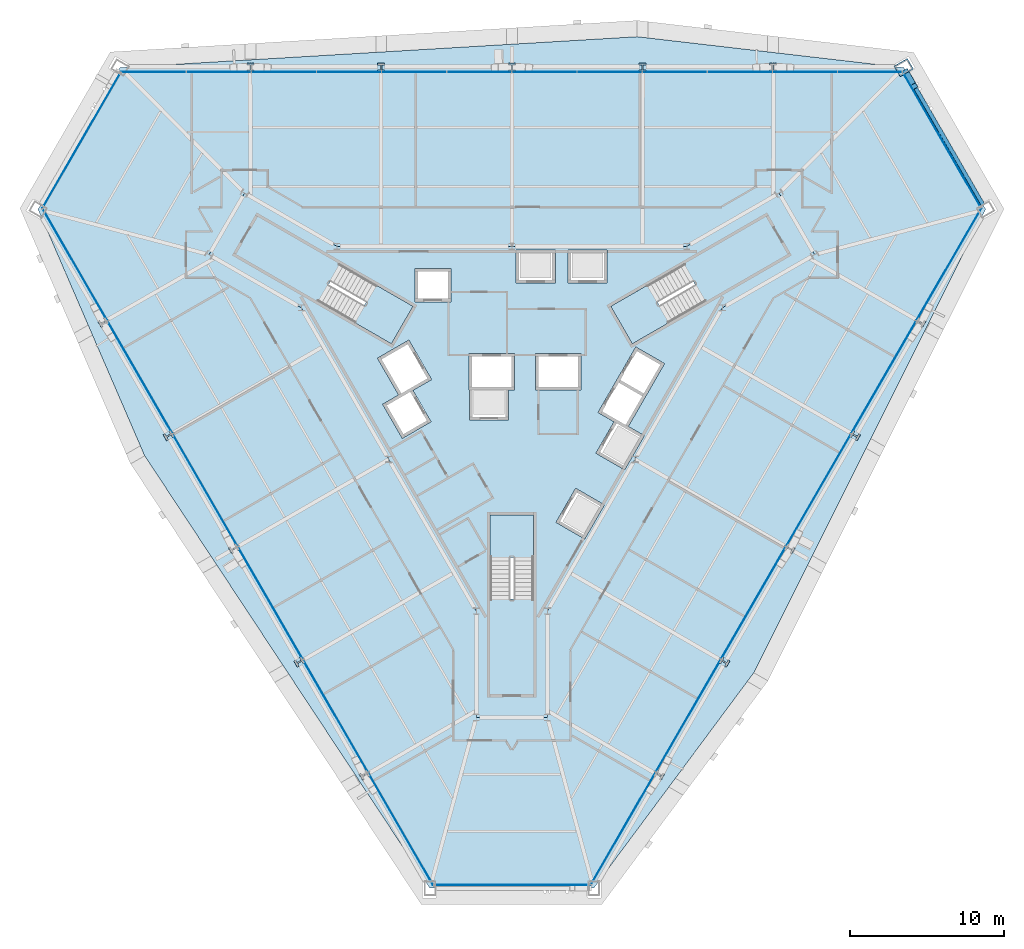
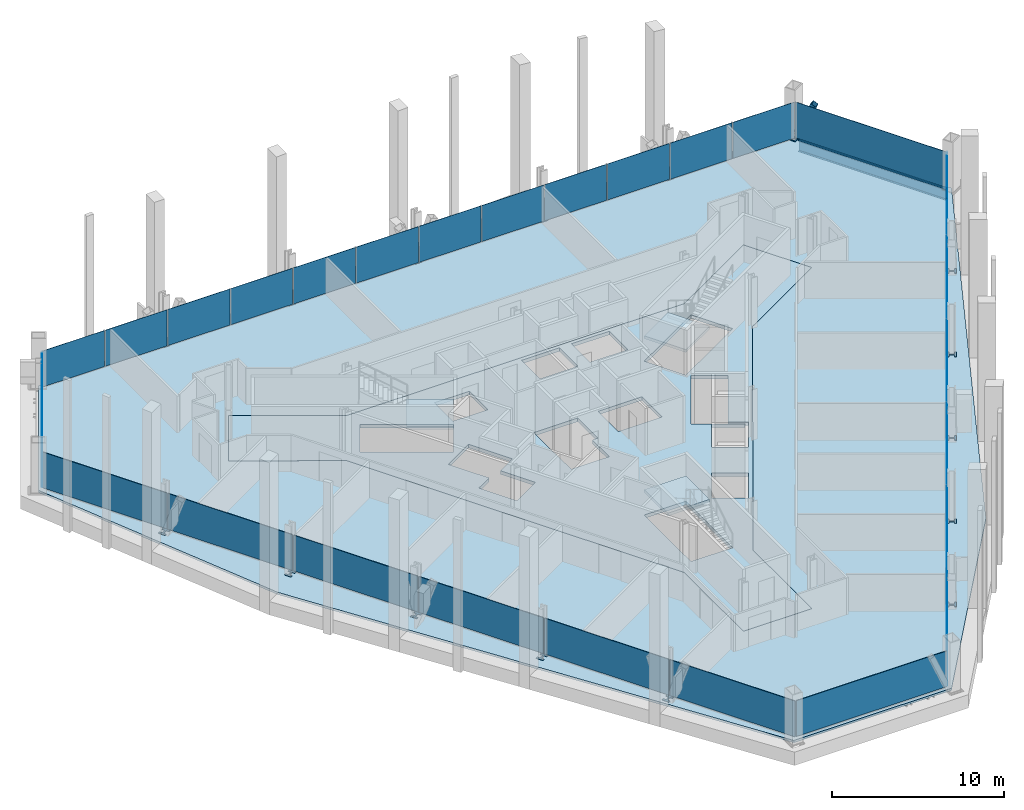
# One storey, part 9 of 16: 27 plates, 18 members, 5 slabs, 1 beam, 9 elements without a shape of their own.
"""IFC4 building model written with IfcOpenShell, lengths in metres."""

import ifcopenshell
import ifcopenshell.guid

model = None  # the IFC model being written
_history = None  # IfcOwnerHistory: only IFC2X3 demands one
_inside = {}  # id of a spatial element -> (the spatial element, [elements in it])
_under = {}  # id of a project, library or spatial element -> (it, [spatial elements below it])
_declared = {}  # id of a project -> (the project, [libraries it declares])
_typed = {}  # id of a type object -> (the type object, [elements of that type])
_made_of = {}  # id of a material, layer set ... -> (it, [elements and type objects made of it])


def new_model(schema):
    """Start an empty IFC model of exactly this schema.

    Asked for "IFC4X3", IfcOpenShell would pick the latest addendum, in which some entities
    have other attributes; the version numbers below select the first issue.
    IFC2X3 requires an IfcOwnerHistory on every rooted entity: one is made here for all.
    """
    global model, _history
    if schema == "IFC4X3":
        model = ifcopenshell.file(schema_version=(4, 3, 0, 0))
    else:
        model = ifcopenshell.file(schema=schema)
    _inside.clear()
    _under.clear()
    _declared.clear()
    _typed.clear()
    _made_of.clear()
    _history = None
    if model.schema == "IFC2X3":
        org = make("IfcOrganization", Name="unknown")
        user = make(
            "IfcPersonAndOrganization",
            ThePerson=make("IfcPerson", FamilyName="unknown"),
            TheOrganization=org,
        )
        app = make(
            "IfcApplication",
            ApplicationDeveloper=org,
            Version="unknown",
            ApplicationFullName="unknown",
            ApplicationIdentifier="unknown",
        )
        _history = make(
            "IfcOwnerHistory",
            OwningUser=user,
            OwningApplication=app,
            ChangeAction="ADDED",
            CreationDate=0,
        )
    return model


def make(cls, **values):
    """One entity of the class cls with the attributes given. An attribute that is None is left unset."""
    return model.create_entity(
        cls, **{name: value for name, value in values.items() if value is not None}
    )


def rooted(cls, **values):
    """An entity with a GlobalId (a new one), such as an element, a storey or a relation."""
    return make(cls, GlobalId=ifcopenshell.guid.new(), OwnerHistory=_history, **values)


def si_unit(unit_type, name, prefix=None):
    """IfcSIUnit, for example si_unit("LENGTHUNIT", "METRE", prefix="MILLI")."""
    return make("IfcSIUnit", UnitType=unit_type, Prefix=prefix, Name=name)


def assignment(units):
    """IfcUnitAssignment: the units of a project."""
    return None if units is None else make("IfcUnitAssignment", Units=units)


def point(xyz):
    """IfcCartesianPoint."""
    return None if xyz is None else make("IfcCartesianPoint", Coordinates=xyz)


def direction(xyz):
    """IfcDirection."""
    return None if xyz is None else make("IfcDirection", DirectionRatios=xyz)


def frame(location, z_axis=None, x_axis=None):
    """IfcAxis2Placement3D, a coordinate frame: its origin and axes. An axis left out is left unset."""
    return make(
        "IfcAxis2Placement3D",
        Location=point(location),
        Axis=direction(z_axis),
        RefDirection=direction(x_axis),
    )


def frame_2d(location, x_axis=None):
    """IfcAxis2Placement2D, a coordinate frame in the plane: its origin and x axis."""
    return make(
        "IfcAxis2Placement2D", Location=point(location), RefDirection=direction(x_axis)
    )


def origin():
    """The frame at (0, 0, 0) with its axes left unset."""
    return frame((0.0, 0.0, 0.0))


def origin_2d():
    """The frame at (0, 0) in the plane with its x axis left unset."""
    return frame_2d((0.0, 0.0))


def place(relative_to, where):
    """IfcLocalPlacement: puts the frame where relative to a parent placement (None: the world)."""
    return make(
        "IfcLocalPlacement", PlacementRelTo=relative_to, RelativePlacement=where
    )


def context(
    kind, dimensions, precision=None, world=None, true_north=None, identifier=None
):
    """IfcGeometricRepresentationContext, for example the 3D "Model" context."""
    return make(
        "IfcGeometricRepresentationContext",
        ContextIdentifier=identifier,
        ContextType=kind,
        CoordinateSpaceDimension=dimensions,
        Precision=precision,
        WorldCoordinateSystem=world,
        TrueNorth=true_north,
    )


def subcontext(parent, identifier, kind, view, scale=None):
    """IfcGeometricRepresentationSubContext, for example "Body" below "Model"."""
    return make(
        "IfcGeometricRepresentationSubContext",
        ContextIdentifier=identifier,
        ContextType=kind,
        ParentContext=parent,
        TargetScale=scale,
        TargetView=view,
    )


def project(units=None, contexts=None):
    """IfcProject with its units and contexts."""
    return rooted(
        "IfcProject",
        Name="project",
        RepresentationContexts=contexts,
        UnitsInContext=assignment(units),
    )


def spatial(cls, under=None, at=None, **own):
    """A site, building, storey or space (cls), placed at a placement, below another one or the project."""
    s = rooted(cls, ObjectPlacement=at, **own)
    if under is not None:
        _under.setdefault(under.id(), (under, []))[1].append(s)
    return s


def polyline(points):
    """IfcPolyline through the points."""
    return make("IfcPolyline", Points=[point(p) for p in points])


def profile(cls, at=None, kind="AREA", **sizes):
    """A parametric profile (cls). Its sizes go by their IFC names, for example OverallWidth=200.0."""
    return make(cls, ProfileType=kind, Position=at, **sizes)


def rectangle(**sizes):
    """IfcRectangleProfileDef."""
    return profile("IfcRectangleProfileDef", **sizes)


def hollow_rectangle(**sizes):
    """IfcRectangleHollowProfileDef."""
    return profile("IfcRectangleHollowProfileDef", **sizes)


def i_section(**sizes):
    """IfcIShapeProfileDef."""
    return profile("IfcIShapeProfileDef", **sizes)


def outline(outer, holes=None, kind="AREA"):
    """IfcArbitraryClosedProfileDef: a profile drawn as a closed curve; with holes, ...WithVoids."""
    if holes is None:
        return make("IfcArbitraryClosedProfileDef", ProfileType=kind, OuterCurve=outer)
    return make(
        "IfcArbitraryProfileDefWithVoids",
        ProfileType=kind,
        OuterCurve=outer,
        InnerCurves=holes,
    )


def extrude(swept, where, along, depth):
    """IfcExtrudedAreaSolid: the profile swept, set in the frame where, extruded along a direction by depth."""
    return make(
        "IfcExtrudedAreaSolid",
        SweptArea=swept,
        Position=where,
        ExtrudedDirection=direction(along),
        Depth=depth,
    )


def shape(context_of_items, identifier, shape_type, items):
    """IfcShapeRepresentation: the items that make up one representation, for example the "Body"."""
    return make(
        "IfcShapeRepresentation",
        ContextOfItems=context_of_items,
        RepresentationIdentifier=identifier,
        RepresentationType=shape_type,
        Items=items,
    )


def material(Name=None, Category=None):
    """IfcMaterial."""
    return make("IfcMaterial", Name=Name, Category=Category)


def layer(
    of_material, thickness, ventilated=None, Name=None, Category=None, Priority=None
):
    """IfcMaterialLayer: one layer of a wall or slab, of a material (None: an air gap)."""
    return make(
        "IfcMaterialLayer",
        Material=of_material,
        LayerThickness=thickness,
        IsVentilated=ventilated,
        Name=Name,
        Category=Category,
        Priority=Priority,
    )


def layer_set(layers, Name=None):
    """IfcMaterialLayerSet."""
    return make("IfcMaterialLayerSet", MaterialLayers=layers, LayerSetName=Name)


def material_profile(
    of_material, cross_section, Name=None, Category=None, Priority=None
):
    """IfcMaterialProfile: a cross section and its material."""
    return make(
        "IfcMaterialProfile",
        Name=Name,
        Material=of_material,
        Profile=cross_section,
        Priority=Priority,
        Category=Category,
    )


def profile_set(profiles, Name=None, composite=None):
    """IfcMaterialProfileSet."""
    return make(
        "IfcMaterialProfileSet",
        Name=Name,
        MaterialProfiles=profiles,
        CompositeProfile=composite,
    )


def made_of(thing, what):
    """Note that an element or type object is made of a material, layer set ...; save() writes the relation."""
    if what is not None:
        _made_of.setdefault(what.id(), (what, []))[1].append(thing)
    return thing


def type_object(cls, material=None, **own):
    """A type object (cls), such as IfcWallType, which elements share."""
    return made_of(rooted(cls, **own), material)


def element(
    cls,
    number,
    at=None,
    inside=None,
    cuts=None,
    type_object=None,
    material=None,
    context=None,
    identifier="Body",
    shape_type=None,
    held_by="IfcProductDefinitionShape",
    body=None,
    shapes=None,
    **own,
):
    """One element of the class cls, such as IfcWall. Its Tag is "e" and its number.

    at: its placement. inside: the storey or other place that contains it. cuts: it is an
    opening in that element (IfcRelVoidsElement). A single representation is given by context,
    identifier, shape_type and body (its items); several are given by shapes. held_by: the class
    of the entity that holds the representations. save() writes the other relations.
    """
    e = rooted(cls, Tag="e%d" % number, ObjectPlacement=at, **own)
    if body is not None:
        shapes = [shape(context, identifier, shape_type, body)]
    if shapes is not None:
        e.Representation = make(held_by, Representations=shapes)
    if inside is not None:
        _inside.setdefault(inside.id(), (inside, []))[1].append(e)
    if cuts is not None:
        rooted(
            "IfcRelVoidsElement", RelatingBuildingElement=cuts, RelatedOpeningElement=e
        )
    if type_object is not None:
        _typed.setdefault(type_object.id(), (type_object, []))[1].append(e)
    return made_of(e, material)


def aggregate(whole, parts):
    """IfcRelAggregates: a whole, such as a stair, and the parts it consists of."""
    return rooted("IfcRelAggregates", RelatingObject=whole, RelatedObjects=parts)


def save(model, path):
    """Write the relations noted so far, then the file.

    IfcRelAggregates (storeys below a building ...), IfcRelContainedInSpatialStructure (elements
    in a storey), IfcRelDefinesByType, IfcRelAssociatesMaterial and IfcRelDeclares: one each for
    every whole, place, type object, material and project.
    """
    for whole, parts in _under.values():
        aggregate(whole, parts)
    for where, things in _inside.values():
        rooted(
            "IfcRelContainedInSpatialStructure",
            RelatedElements=things,
            RelatingStructure=where,
        )
    for kind, things in _typed.values():
        rooted("IfcRelDefinesByType", RelatedObjects=things, RelatingType=kind)
    for what, things in _made_of.values():
        rooted("IfcRelAssociatesMaterial", RelatedObjects=things, RelatingMaterial=what)
    for by, libraries in _declared.values():
        rooted("IfcRelDeclares", RelatingContext=by, RelatedDefinitions=libraries)
    model.write(path)


model = new_model("IFC4")

# Units and contexts
model_context = context("Model", 3, precision=1e-05, world=origin(), true_north=direction((0.0, 1.0)))
body_context = subcontext(model_context, "Body", "Model", "MODEL_VIEW")
ifc_project = project(units=[si_unit("LENGTHUNIT", "METRE"), si_unit("AREAUNIT", "SQUARE_METRE"), si_unit("VOLUMEUNIT", "CUBIC_METRE"), si_unit("PLANEANGLEUNIT", "RADIAN"), si_unit("MASSUNIT", "GRAM", prefix="KILO")], contexts=[model_context])

# Site, building, storey
site_placement = place(None, origin())
site = spatial("IfcSite", under=ifc_project, at=site_placement, CompositionType="ELEMENT")
building_placement = place(site_placement, origin())
building = spatial("IfcBuilding", under=site, at=building_placement, Name="Verrane Prism Tower", CompositionType="ELEMENT")
storey_placement = place(building_placement, frame((0.0, 0.0, 36.800048828125)))
storey = spatial("IfcBuildingStorey", under=building, at=storey_placement, Name="L06", CompositionType="ELEMENT", Elevation=36.800048828125)

# Member
ifc_material_1 = material(Name="Steel A500 Grade C", Category="steel")
ifc_material_profile_1 = material_profile(ifc_material_1, hollow_rectangle(XDim=0.355712890625, YDim=0.355712890625, WallThickness=0.0126953125, InnerFilletRadius=0.00634765625, OuterFilletRadius=0.01904296875, at=origin_2d()), Name="HSS14x14x1/2")
ifc_profile_set_1 = profile_set([ifc_material_profile_1], Name="Steel A500 Grade C")
member_type_1 = type_object("IfcMemberType", Name="Chamfer brace HSS14x14x1/2", PredefinedType="BRACE", material=ifc_profile_set_1)
member_1_placement = place(storey_placement, frame((25.530029296875, 20.492919921875, 0.217041015625), z_axis=(0.193868803172, -0.335749946471, 0.921784606403), x_axis=(0.865999177177, 0.500045423065, 0.0)))
element("IfcMember", 1, at=member_1_placement, inside=storey, type_object=member_type_1, Name="Chamfer brace NE0 L06", PredefinedType="BRACE", context=body_context, shape_type="SweptSolid", body=[
    extrude(hollow_rectangle(XDim=0.355712890625, YDim=0.355712890625, WallThickness=0.0126953125, InnerFilletRadius=0.00634765625, OuterFilletRadius=0.01904296875, at=origin_2d()), origin(), (0.0, 0.0, 1.0), 2.756591796875),
])

# Beam
ifc_material_2 = material(Name="Steel A992", Category="steel")
ifc_material_profile_2 = material_profile(ifc_material_2, i_section(OverallWidth=0.2666015625, OverallDepth=0.76708984375, WebThickness=0.014892578125, FlangeThickness=0.023681640625, FilletRadius=0.0166015625, at=origin_2d()), Name="W30x124")
ifc_profile_set_2 = profile_set([ifc_material_profile_2], Name="Steel A992")
beam_type = type_object("IfcBeamType", Name="Chamfer spandrel beam W30x124", PredefinedType="SPANDREL", material=ifc_profile_set_2)
beam_placement = place(storey_placement, frame((30.4951171875, 11.89306640625, -0.54345703125), z_axis=(-0.500011342071, 0.866018855338, 0.0), x_axis=(-0.866018855338, -0.500011342071, 0.0)))
element("IfcBeam", 2, at=beam_placement, inside=storey, type_object=beam_type, Name="Chamfer spandrel beam L06", PredefinedType="SPANDREL", context=body_context, shape_type="SweptSolid", body=[
    extrude(i_section(OverallWidth=0.2666015625, OverallDepth=0.76708984375, WebThickness=0.014892578125, FlangeThickness=0.023681640625, FilletRadius=0.0166015625, at=origin_2d()), origin(), (0.0, 0.0, 1.0), 9.900146484375),
])

# Members
ifc_material_3 = material(Name="Steel A572 Grade 50", Category="steel")
ifc_material_profile_3 = material_profile(ifc_material_3, hollow_rectangle(XDim=0.800048828125, YDim=1.0, WallThickness=0.074951171875, at=origin_2d()), Name="BOX 1000x800x75")
ifc_profile_set_3 = profile_set([ifc_material_profile_3], Name="Steel A572 Grade 50")
member_type_2 = type_object("IfcMemberType", Name="Kink node BOX 1000x800x75", PredefinedType="COLLAR", material=ifc_profile_set_3)
member_2_placement = place(storey_placement, frame((25.371337890625, 20.77197265625, -0.045166015625), z_axis=(0.0, 0.0, 1.0), x_axis=(0.5, -0.866025403784, 0.0)))
element("IfcMember", 3, at=member_2_placement, inside=storey, type_object=member_type_2, Name="Kink node MC2 L06", PredefinedType="COLLAR", context=body_context, shape_type="SweptSolid", body=[
    extrude(hollow_rectangle(XDim=0.800048828125, YDim=1.0, WallThickness=0.074951171875, at=origin_2d()), origin(), (0.0, 0.0, 1.0), 0.090087890625),
])
ifc_material_4 = material(Name="Steel A992", Category="steel")
ifc_material_profile_4 = material_profile(ifc_material_4, i_section(OverallWidth=0.45458984375, OverallDepth=0.56884765625, WebThickness=0.077880859375, FlangeThickness=0.124755859375, FilletRadius=0.01513671875, at=origin_2d()), Name="W14x730")
ifc_profile_set_4 = profile_set([ifc_material_profile_4], Name="Steel A992")
member_type_3 = type_object("IfcMemberType", Name="Kink node W14x730", PredefinedType="COLLAR", material=ifc_profile_set_4)
member_3_placement = place(storey_placement, frame((16.920654296875, 20.771240234375, -0.030029296875), z_axis=(0.0, 0.0, 1.0), x_axis=(1.0, 0.0, 0.0)))
element("IfcMember", 4, at=member_3_placement, inside=storey, type_object=member_type_3, Name="Kink node PC1 L06", PredefinedType="COLLAR", context=body_context, shape_type="SweptSolid", body=[
    extrude(i_section(OverallWidth=0.45458984375, OverallDepth=0.56884765625, WebThickness=0.077880859375, FlangeThickness=0.124755859375, FilletRadius=0.01513671875, at=origin_2d()), origin(), (0.0, 0.0, 1.0), 0.06005859375),
])
for number, where, z_axis, x_axis, name in (
    (5, (8.460205078125, 20.77099609375, -0.025146484375), (0.0, 0.0, 1.0), (1.0, 0.0, 0.0), "Kink node PC1 L06"),
    (6, (0.0, 20.77099609375, -0.025146484375), (0.0, 0.0, 1.0), (1.0, 0.0, 0.0), "Kink node PC1 L06"),
    (7, (-8.460205078125, 20.77099609375, -0.025146484375), (0.0, 0.0, 1.0), (1.0, 0.0, 0.0), "Kink node PC1 L06"),
):
    element("IfcMember", number, at=place(storey_placement, frame(where, z_axis=z_axis, x_axis=x_axis)), inside=storey, type_object=member_type_3, Name=name, PredefinedType="COLLAR", context=body_context, shape_type="SweptSolid", body=[
        extrude(i_section(OverallWidth=0.45458984375, OverallDepth=0.56884765625, WebThickness=0.077880859375, FlangeThickness=0.124755859375, FilletRadius=0.01513671875, at=origin_2d()), origin(), (0.0, 0.0, 1.0), 0.050048828125),
    ])
for number, where, z_axis, x_axis, name in (
    (8, (-16.920654296875, 20.771240234375, -0.030029296875), (0.0, 0.0, 1.0), (1.0, 0.0, 0.0), "Kink node PC1 L06"),
    (9, (9.53076171875, -25.041015625, -0.030029296875), (0.0, 0.0, 1.0), (-0.5, -0.866025403784, 0.0), "Kink node PC1 L06"),
):
    element("IfcMember", number, at=place(storey_placement, frame(where, z_axis=z_axis, x_axis=x_axis)), inside=storey, type_object=member_type_3, Name=name, PredefinedType="COLLAR", context=body_context, shape_type="SweptSolid", body=[
        extrude(i_section(OverallWidth=0.45458984375, OverallDepth=0.56884765625, WebThickness=0.077880859375, FlangeThickness=0.124755859375, FilletRadius=0.01513671875, at=origin_2d()), origin(), (0.0, 0.0, 1.0), 0.06005859375),
    ])
for number, where, z_axis, x_axis, name in (
    (10, (13.7607421875, -17.710693359375, -0.025146484375), (0.0, 0.0, 1.0), (-0.5, -0.866025403784, 0.0), "Kink node PC1 L06"),
    (11, (17.990966796875, -10.380615234375, -0.025146484375), (0.0, 0.0, 1.0), (-0.5, -0.866025403784, 0.0), "Kink node PC1 L06"),
    (12, (22.220947265625, -3.060302734375, -0.025146484375), (0.0, 0.0, 1.0), (-0.5, -0.866025403784, 0.0), "Kink node PC1 L06"),
):
    element("IfcMember", number, at=place(storey_placement, frame(where, z_axis=z_axis, x_axis=x_axis)), inside=storey, type_object=member_type_3, Name=name, PredefinedType="COLLAR", context=body_context, shape_type="SweptSolid", body=[
        extrude(i_section(OverallWidth=0.45458984375, OverallDepth=0.56884765625, WebThickness=0.077880859375, FlangeThickness=0.124755859375, FilletRadius=0.01513671875, at=origin_2d()), origin(), (0.0, 0.0, 1.0), 0.050048828125),
    ])
for number, where, z_axis, x_axis, name in (
    (13, (26.451416015625, 4.27001953125, -0.030029296875), (0.0, 0.0, 1.0), (-0.5, -0.866025403784, 0.0), "Kink node PC1 L06"),
    (14, (-26.451416015625, 4.27001953125, -0.030029296875), (0.0, 0.0, 1.0), (-0.5, 0.866025403784, 0.0), "Kink node PC1 L06"),
):
    element("IfcMember", number, at=place(storey_placement, frame(where, z_axis=z_axis, x_axis=x_axis)), inside=storey, type_object=member_type_3, Name=name, PredefinedType="COLLAR", context=body_context, shape_type="SweptSolid", body=[
        extrude(i_section(OverallWidth=0.45458984375, OverallDepth=0.56884765625, WebThickness=0.077880859375, FlangeThickness=0.124755859375, FilletRadius=0.01513671875, at=origin_2d()), origin(), (0.0, 0.0, 1.0), 0.06005859375),
    ])
for number, where, z_axis, x_axis, name in (
    (15, (-22.220947265625, -3.060302734375, -0.025146484375), (0.0, 0.0, 1.0), (-0.5, 0.866025403784, 0.0), "Kink node PC1 L06"),
    (16, (-17.990966796875, -10.380615234375, -0.025146484375), (0.0, 0.0, 1.0), (-0.5, 0.866025403784, 0.0), "Kink node PC1 L06"),
    (17, (-13.7607421875, -17.710693359375, -0.025146484375), (0.0, 0.0, 1.0), (-0.5, 0.866025403784, 0.0), "Kink node PC1 L06"),
):
    element("IfcMember", number, at=place(storey_placement, frame(where, z_axis=z_axis, x_axis=x_axis)), inside=storey, type_object=member_type_3, Name=name, PredefinedType="COLLAR", context=body_context, shape_type="SweptSolid", body=[
        extrude(i_section(OverallWidth=0.45458984375, OverallDepth=0.56884765625, WebThickness=0.077880859375, FlangeThickness=0.124755859375, FilletRadius=0.01513671875, at=origin_2d()), origin(), (0.0, 0.0, 1.0), 0.050048828125),
    ])
member_4_placement = place(storey_placement, frame((-9.53076171875, -25.041015625, -0.030029296875), z_axis=(0.0, 0.0, 1.0), x_axis=(-0.5, 0.866025403784, 0.0)))
element("IfcMember", 18, at=member_4_placement, inside=storey, type_object=member_type_3, Name="Kink node PC1 L06", PredefinedType="COLLAR", context=body_context, shape_type="SweptSolid", body=[
    extrude(i_section(OverallWidth=0.45458984375, OverallDepth=0.56884765625, WebThickness=0.077880859375, FlangeThickness=0.124755859375, FilletRadius=0.01513671875, at=origin_2d()), origin(), (0.0, 0.0, 1.0), 0.06005859375),
])

# Curtain wall, member
ifc_material_5 = material(Name="Aluminium framed insulated glazing", Category="aluminium")
curtain_wall_type_1 = type_object("IfcCurtainWallType", Name="Curtain wall CW-A 8400 module", PredefinedType="NOTDEFINED", material=ifc_material_5)
curtain_wall_1_placement = place(storey_placement, origin())
curtain_wall_1 = element("IfcCurtainWall", 19, at=curtain_wall_1_placement, inside=storey, type_object=curtain_wall_type_1, Name="Glazed curtain wall north-east corner L06", PredefinedType="NOTDEFINED")
ifc_material_6 = material(Name="Aluminium alloy 6063-T6", Category="aluminium")
ifc_material_profile_5 = material_profile(ifc_material_6, rectangle(XDim=0.14990234375, YDim=0.070068359375, at=origin_2d()), Name="Transom 70x150 aluminium")
ifc_profile_set_5 = profile_set([ifc_material_profile_5], Name="Aluminium alloy 6063-T6")
member_type_4 = type_object("IfcMemberType", Name="Transom 70x150 aluminium", PredefinedType="USERDEFINED", material=ifc_profile_set_5)
member_5_placement = place(storey_placement, frame((30.361572265625, 11.726806640625, 0.034912109375), z_axis=(-0.500005066806, 0.866022478443, 0.0), x_axis=(-0.866022478443, -0.500005066806, 0.0)))
member_5 = element("IfcMember", 20, at=member_5_placement, type_object=member_type_4, Name="CW06.1 transom 1", ObjectType="TRANSOM", PredefinedType="USERDEFINED", context=body_context, shape_type="SweptSolid", body=[
    extrude(rectangle(XDim=0.14990234375, YDim=0.070068359375, at=origin_2d()), origin(), (0.0, 0.0, 1.0), 10.1201171875),
])

# Slabs
ifc_material_7 = material(Name="Concrete C35/45", Category="concrete")
ifc_layer_1 = layer(ifc_material_7, 0.159912109375)
ifc_layer_set_1 = layer_set([ifc_layer_1], Name="Composite floor slab")
slab_type_1 = type_object("IfcSlabType", Name="Composite floor slab", PredefinedType="FLOOR", material=ifc_layer_set_1)
slab_1_placement = place(storey_placement, frame((0.0, 0.0, -0.16015625)))
element("IfcSlab", 21, at=slab_1_placement, inside=storey, type_object=slab_type_1, Name="Floor slab L06", PredefinedType="FLOOR", context=body_context, shape_type="SweptSolid", body=[
    extrude(outline(polyline([(15.659423828125, -18.4169921875), (5.300048828125, -32.360107421875), (-5.300048828125, -32.360107421875), (-23.779296875, -4.35302734375), (-30.6748046875, 11.590087890625), (-25.374755859375, 20.77001953125), (8.119873046875, 22.77001953125), (25.374755859375, 20.77001953125), (30.6748046875, 11.590087890625), (15.659423828125, -18.4169921875)]), holes=[polyline([(19.60009765625, 8.659912109375), (17.300048828125, 12.639892578125), (11.330078125, 9.199951171875), (0.0, 9.199951171875), (-11.330078125, 9.199951171875), (-17.300048828125, 12.639892578125), (-19.60009765625, 8.659912109375), (-13.6298828125, 5.219970703125), (-7.969970703125, -4.60009765625), (-2.300048828125, -14.419921875), (-2.300048828125, -21.300048828125), (2.300048828125, -21.300048828125), (2.300048828125, -14.419921875), (7.969970703125, -4.60009765625), (13.6298828125, 5.219970703125), (19.60009765625, 8.659912109375)])]), origin(), (0.0, 0.0, 1.0), 0.16015625),
])
ifc_material_8 = material(Name="Concrete C40/50", Category="concrete")
ifc_layer_2 = layer(ifc_material_8, 0.25)
ifc_layer_set_2 = layer_set([ifc_layer_2], Name="Core floor slab 250 concrete C40/50")
slab_type_2 = type_object("IfcSlabType", Name="Core floor slab 250 concrete C40/50", PredefinedType="FLOOR", material=ifc_layer_set_2)
slab_2_placement = place(storey_placement, frame((0.0, 0.0, -0.25)))
element("IfcSlab", 22, at=slab_2_placement, inside=storey, type_object=slab_type_2, Name="Core floor L06", PredefinedType="FLOOR", context=body_context, shape_type="SweptSolid", body=[
    extrude(outline(polyline([(13.6298828125, 5.219970703125), (19.60009765625, 8.659912109375), (17.300048828125, 12.639892578125), (11.330078125, 9.199951171875), (0.0, 9.199951171875), (-11.330078125, 9.199951171875), (-17.300048828125, 12.639892578125), (-19.60009765625, 8.659912109375), (-13.6298828125, 5.219970703125), (-7.969970703125, -4.60009765625), (-2.300048828125, -14.419921875), (-2.300048828125, -21.300048828125), (2.300048828125, -21.300048828125), (2.300048828125, -14.419921875), (7.969970703125, -4.60009765625), (13.6298828125, 5.219970703125)]), holes=[polyline([(1.39990234375, -8.199951171875), (1.39990234375, -13.639892578125), (-1.39990234375, -13.639892578125), (-1.39990234375, -8.199951171875), (1.39990234375, -8.199951171875)]), polyline([(0.1650390625, 2.25), (0.1650390625, -0.10009765625), (-0.205078125, -0.10009765625), (-0.205078125, -2.050048828125), (-2.7548828125, -2.050048828125), (-2.7548828125, -0.10009765625), (-2.784912109375, -0.10009765625), (-2.784912109375, 2.25), (0.1650390625, 2.25)]), polyline([(-7.801025390625, 2.887939453125), (-12.512939453125, 5.60791015625), (-11.113037109375, 8.031982421875), (-6.40087890625, 5.31201171875), (-7.801025390625, 2.887939453125)]), polyline([(-6.284912109375, 5.610107421875), (-6.284912109375, 7.760009765625), (-3.93505859375, 7.760009765625), (-3.93505859375, 5.610107421875), (-6.284912109375, 5.610107421875)]), polyline([(2.81494140625, 6.81005859375), (0.264892578125, 6.81005859375), (0.264892578125, 8.9599609375), (2.81494140625, 8.9599609375), (2.81494140625, 6.81005859375)]), polyline([(4.717041015625, -9.75), (2.85498046875, -8.675048828125), (4.1298828125, -6.466064453125), (5.991943359375, -7.541015625), (4.717041015625, -9.75)]), polyline([(8.303955078125, -3.136962890625), (5.575927734375, -1.56201171875), (8.02587890625, 2.680908203125), (9.887939453125, 1.60595703125), (7.5380859375, -2.464111328125), (8.576904296875, -3.06396484375), (7.302001953125, -5.27197265625), (5.43994140625, -4.197021484375), (6.614990234375, -2.162109375), (8.303955078125, -3.136962890625)]), polyline([(1.52490234375, -0.10009765625), (1.52490234375, 2.25), (4.47509765625, 2.25), (4.47509765625, -0.10009765625), (1.52490234375, -0.10009765625)]), polyline([(11.113037109375, 8.031982421875), (12.512939453125, 5.60791015625), (7.801025390625, 2.887939453125), (6.40087890625, 5.31201171875), (11.113037109375, 8.031982421875)]), polyline([(3.625, 6.81005859375), (3.625, 8.9599609375), (6.175048828125, 8.9599609375), (6.175048828125, 6.81005859375), (3.625, 6.81005859375)]), polyline([(-5.23095703125, -2.159912109375), (-7.093017578125, -3.235107421875), (-8.367919921875, -1.02587890625), (-7.3291015625, -0.426025390625), (-8.7041015625, 1.955078125), (-6.66796875, 3.1298828125), (-5.193115234375, 0.574951171875), (-6.406005859375, -0.125), (-5.23095703125, -2.159912109375)])]), origin(), (0.0, 0.0, 1.0), 0.25),
])

# Curtain wall, plates
ifc_material_9 = material(Name="Aluminium framed insulated glazing", Category="aluminium")
curtain_wall_type_2 = type_object("IfcCurtainWallType", Name="Curtain wall CW-C 4200 module", PredefinedType="NOTDEFINED", material=ifc_material_9)
curtain_wall_2_placement = place(storey_placement, origin())
curtain_wall_2 = element("IfcCurtainWall", 23, at=curtain_wall_2_placement, inside=storey, type_object=curtain_wall_type_2, Name="Glazed curtain wall north face L06", PredefinedType="NOTDEFINED")
ifc_material_10 = material(Name="Low-iron insulating glass unit", Category="glass")
ifc_layer_3 = layer(ifc_material_10, 0.02392578125)
ifc_layer_set_3 = layer_set([ifc_layer_3], Name="Glazing panel IGU 24")
plate_type_1 = type_object("IfcPlateType", Name="Glazing panel IGU 24", PredefinedType="CURTAIN_PANEL", material=ifc_layer_set_3)
plate_1_placement = place(storey_placement, frame((23.1806640625, 20.490966796875, 0.0498046875), z_axis=(0.0, 0.0, 1.0), x_axis=(-1.0, 0.0, 0.0)))
plate_1 = element("IfcPlate", 24, at=plate_1_placement, type_object=plate_type_1, Name="CW06.2 panel 1", PredefinedType="CURTAIN_PANEL", context=body_context, shape_type="SweptSolid", body=[
    extrude(rectangle(XDim=4.141845703125, YDim=0.02392578125, at=origin_2d()), origin(), (0.0, 0.0, 1.0), 2.56298828125),
])
plate_2_placement = place(storey_placement, frame((18.976318359375, 20.490966796875, 0.0498046875), z_axis=(0.0, 0.0, 1.0), x_axis=(-1.0, 0.0, 0.0)))
plate_2 = element("IfcPlate", 25, at=plate_2_placement, type_object=plate_type_1, Name="CW06.2 panel 2", PredefinedType="CURTAIN_PANEL", context=body_context, shape_type="SweptSolid", body=[
    extrude(rectangle(XDim=4.1669921875, YDim=0.02392578125, at=origin_2d()), origin(), (0.0, 0.0, 1.0), 2.56298828125),
])
plate_3_placement = place(storey_placement, frame((14.75927734375, 20.490966796875, 0.0498046875), z_axis=(0.0, 0.0, 1.0), x_axis=(-1.0, 0.0, 0.0)))
plate_3 = element("IfcPlate", 26, at=plate_3_placement, type_object=plate_type_1, Name="CW06.2 panel 3", PredefinedType="CURTAIN_PANEL", context=body_context, shape_type="SweptSolid", body=[
    extrude(rectangle(XDim=4.1669921875, YDim=0.02392578125, at=origin_2d()), origin(), (0.0, 0.0, 1.0), 2.56298828125),
])
plate_4_placement = place(storey_placement, frame((10.542236328125, 20.490966796875, 0.0498046875), z_axis=(0.0, 0.0, 1.0), x_axis=(-1.0, 0.0, 0.0)))
plate_4 = element("IfcPlate", 27, at=plate_4_placement, type_object=plate_type_1, Name="CW06.2 panel 4", PredefinedType="CURTAIN_PANEL", context=body_context, shape_type="SweptSolid", body=[
    extrude(rectangle(XDim=4.1669921875, YDim=0.02392578125, at=origin_2d()), origin(), (0.0, 0.0, 1.0), 2.56298828125),
])
plate_5_placement = place(storey_placement, frame((6.325439453125, 20.490966796875, 0.0498046875), z_axis=(0.0, 0.0, 1.0), x_axis=(-1.0, 0.0, 0.0)))
plate_5 = element("IfcPlate", 28, at=plate_5_placement, type_object=plate_type_1, Name="CW06.2 panel 5", PredefinedType="CURTAIN_PANEL", context=body_context, shape_type="SweptSolid", body=[
    extrude(rectangle(XDim=4.1669921875, YDim=0.02392578125, at=origin_2d()), origin(), (0.0, 0.0, 1.0), 2.56298828125),
])
plate_6_placement = place(storey_placement, frame((2.1083984375, 20.490966796875, 0.0498046875), z_axis=(0.0, 0.0, 1.0), x_axis=(-1.0, 0.0, 0.0)))
plate_6 = element("IfcPlate", 29, at=plate_6_placement, type_object=plate_type_1, Name="CW06.2 panel 6", PredefinedType="CURTAIN_PANEL", context=body_context, shape_type="SweptSolid", body=[
    extrude(rectangle(XDim=4.1669921875, YDim=0.02392578125, at=origin_2d()), origin(), (0.0, 0.0, 1.0), 2.56298828125),
])
plate_7_placement = place(storey_placement, frame((-2.1083984375, 20.490966796875, 0.0498046875), z_axis=(0.0, 0.0, 1.0), x_axis=(-1.0, 0.0, 0.0)))
plate_7 = element("IfcPlate", 30, at=plate_7_placement, type_object=plate_type_1, Name="CW06.2 panel 7", PredefinedType="CURTAIN_PANEL", context=body_context, shape_type="SweptSolid", body=[
    extrude(rectangle(XDim=4.1669921875, YDim=0.02392578125, at=origin_2d()), origin(), (0.0, 0.0, 1.0), 2.56298828125),
])
plate_8_placement = place(storey_placement, frame((-6.325439453125, 20.490966796875, 0.0498046875), z_axis=(0.0, 0.0, 1.0), x_axis=(-1.0, 0.0, 0.0)))
plate_8 = element("IfcPlate", 31, at=plate_8_placement, type_object=plate_type_1, Name="CW06.2 panel 8", PredefinedType="CURTAIN_PANEL", context=body_context, shape_type="SweptSolid", body=[
    extrude(rectangle(XDim=4.1669921875, YDim=0.02392578125, at=origin_2d()), origin(), (0.0, 0.0, 1.0), 2.56298828125),
])
plate_9_placement = place(storey_placement, frame((-10.542236328125, 20.490966796875, 0.0498046875), z_axis=(0.0, 0.0, 1.0), x_axis=(-1.0, 0.0, 0.0)))
plate_9 = element("IfcPlate", 32, at=plate_9_placement, type_object=plate_type_1, Name="CW06.2 panel 9", PredefinedType="CURTAIN_PANEL", context=body_context, shape_type="SweptSolid", body=[
    extrude(rectangle(XDim=4.1669921875, YDim=0.02392578125, at=origin_2d()), origin(), (0.0, 0.0, 1.0), 2.56298828125),
])
plate_10_placement = place(storey_placement, frame((-14.75927734375, 20.490966796875, 0.0498046875), z_axis=(0.0, 0.0, 1.0), x_axis=(-1.0, 0.0, 0.0)))
plate_10 = element("IfcPlate", 33, at=plate_10_placement, type_object=plate_type_1, Name="CW06.2 panel 10", PredefinedType="CURTAIN_PANEL", context=body_context, shape_type="SweptSolid", body=[
    extrude(rectangle(XDim=4.1669921875, YDim=0.02392578125, at=origin_2d()), origin(), (0.0, 0.0, 1.0), 2.56298828125),
])
plate_11_placement = place(storey_placement, frame((-18.976318359375, 20.490966796875, 0.0498046875), z_axis=(0.0, 0.0, 1.0), x_axis=(-1.0, 0.0, 0.0)))
plate_11 = element("IfcPlate", 34, at=plate_11_placement, type_object=plate_type_1, Name="CW06.2 panel 11", PredefinedType="CURTAIN_PANEL", context=body_context, shape_type="SweptSolid", body=[
    extrude(rectangle(XDim=4.1669921875, YDim=0.02392578125, at=origin_2d()), origin(), (0.0, 0.0, 1.0), 2.56298828125),
])
plate_12_placement = place(storey_placement, frame((-23.20556640625, 20.490966796875, 0.0498046875), z_axis=(0.0, 0.0, 1.0), x_axis=(-1.0, 0.0, 0.0)))
plate_12 = element("IfcPlate", 35, at=plate_12_placement, type_object=plate_type_1, Name="CW06.2 panel 12", PredefinedType="CURTAIN_PANEL", context=body_context, shape_type="SweptSolid", body=[
    extrude(rectangle(XDim=4.19189453125, YDim=0.02392578125, at=origin_2d()), origin(), (0.0, 0.0, 1.0), 2.56298828125),
])
aggregate(curtain_wall_2, [plate_1, plate_2, plate_3, plate_4, plate_5, plate_6, plate_7, plate_8, plate_9, plate_10, plate_11, plate_12])

# Plate
ifc_material_11 = material(Name="Low-iron insulating glass unit", Category="glass")
ifc_layer_4 = layer(ifc_material_11, 0.031982421875)
ifc_layer_set_4 = layer_set([ifc_layer_4], Name="Glazing panel IGU 32")
plate_type_2 = type_object("IfcPlateType", Name="Glazing panel IGU 32", PredefinedType="CURTAIN_PANEL", material=ifc_layer_set_4)
plate_13_placement = place(storey_placement, frame((27.83154296875, 16.10888671875, 0.06982421875), z_axis=(0.0, 0.0, 1.0), x_axis=(-0.499996840933, 0.866027227665, 0.0)))
plate_13 = element("IfcPlate", 36, at=plate_13_placement, type_object=plate_type_2, Name="CW06.1 panel 1", PredefinedType="CURTAIN_PANEL", context=body_context, shape_type="SweptSolid", body=[
    extrude(rectangle(XDim=10.119873046875, YDim=0.031982421875, at=origin_2d()), origin(), (0.0, 0.0, 1.0), 2.54296875),
])

aggregate(curtain_wall_1, [member_5, plate_13])

# Curtain wall, plate
curtain_wall_3_placement = place(storey_placement, origin())
curtain_wall_3 = element("IfcCurtainWall", 37, at=curtain_wall_3_placement, inside=storey, type_object=curtain_wall_type_1, Name="Glazed curtain wall north-west corner L06", PredefinedType="NOTDEFINED")
plate_14_placement = place(storey_placement, frame((-27.866455078125, 16.04833984375, 0.06982421875), z_axis=(0.0, 0.0, 1.0), x_axis=(-0.499996840933, -0.866027227665, 0.0)))
plate_14 = element("IfcPlate", 38, at=plate_14_placement, type_object=plate_type_2, Name="CW06.3 panel 1", PredefinedType="CURTAIN_PANEL", context=body_context, shape_type="SweptSolid", body=[
    extrude(rectangle(XDim=10.119873046875, YDim=0.031982421875, at=origin_2d()), origin(), (0.0, 0.0, 1.0), 2.54296875),
])
aggregate(curtain_wall_3, [plate_14])

# Curtain wall, plates
curtain_wall_4_placement = place(storey_placement, origin())
curtain_wall_4 = element("IfcCurtainWall", 39, at=curtain_wall_4_placement, inside=storey, type_object=curtain_wall_type_1, Name="Glazed curtain wall south-west face L06", PredefinedType="NOTDEFINED")
plate_15_placement = place(storey_placement, frame((-28.279296875, 7.999267578125, 0.06982421875), z_axis=(0.0, 0.0, 1.0), x_axis=(0.500000485297, -0.866025123598, 0.0)))
plate_15 = element("IfcPlate", 40, at=plate_15_placement, type_object=plate_type_2, Name="CW06.4 panel 1", PredefinedType="CURTAIN_PANEL", context=body_context, shape_type="SweptSolid", body=[
    extrude(rectangle(XDim=8.328857421875, YDim=0.031982421875, at=origin_2d()), origin(), (0.0, 0.0, 1.0), 2.54296875),
])
plate_16_placement = place(storey_placement, frame((-24.071044921875, 0.71044921875, 0.06982421875), z_axis=(0.0, 0.0, 1.0), x_axis=(0.500000485297, -0.866025123598, 0.0)))
plate_16 = element("IfcPlate", 41, at=plate_16_placement, type_object=plate_type_2, Name="CW06.4 panel 2", PredefinedType="CURTAIN_PANEL", context=body_context, shape_type="SweptSolid", body=[
    extrude(rectangle(XDim=8.36376953125, YDim=0.031982421875, at=origin_2d()), origin(), (0.0, 0.0, 1.0), 2.54296875),
])
plate_17_placement = place(storey_placement, frame((-19.854248046875, -6.593505859375, 0.06982421875), z_axis=(0.0, 0.0, 1.0), x_axis=(0.500000485297, -0.866025123598, 0.0)))
plate_17 = element("IfcPlate", 42, at=plate_17_placement, type_object=plate_type_2, Name="CW06.4 panel 3", PredefinedType="CURTAIN_PANEL", context=body_context, shape_type="SweptSolid", body=[
    extrude(rectangle(XDim=8.36376953125, YDim=0.031982421875, at=origin_2d()), origin(), (0.0, 0.0, 1.0), 2.54296875),
])
plate_18_placement = place(storey_placement, frame((-15.63720703125, -13.8974609375, 0.06982421875), z_axis=(0.0, 0.0, 1.0), x_axis=(0.500000485297, -0.866025123598, 0.0)))
plate_18 = element("IfcPlate", 43, at=plate_18_placement, type_object=plate_type_2, Name="CW06.4 panel 4", PredefinedType="CURTAIN_PANEL", context=body_context, shape_type="SweptSolid", body=[
    extrude(rectangle(XDim=8.36376953125, YDim=0.031982421875, at=origin_2d()), origin(), (0.0, 0.0, 1.0), 2.54296875),
])
plate_19_placement = place(storey_placement, frame((-11.42041015625, -21.201416015625, 0.06982421875), z_axis=(0.0, 0.0, 1.0), x_axis=(0.500000485297, -0.866025123598, 0.0)))
plate_19 = element("IfcPlate", 44, at=plate_19_placement, type_object=plate_type_2, Name="CW06.4 panel 5", PredefinedType="CURTAIN_PANEL", context=body_context, shape_type="SweptSolid", body=[
    extrude(rectangle(XDim=8.36376953125, YDim=0.031982421875, at=origin_2d()), origin(), (0.0, 0.0, 1.0), 2.54296875),
])
plate_20_placement = place(storey_placement, frame((-7.194580078125, -28.5205078125, 0.06982421875), z_axis=(0.0, 0.0, 1.0), x_axis=(0.500000485297, -0.866025123598, 0.0)))
plate_20 = element("IfcPlate", 45, at=plate_20_placement, type_object=plate_type_2, Name="CW06.4 panel 6", PredefinedType="CURTAIN_PANEL", context=body_context, shape_type="SweptSolid", body=[
    extrude(rectangle(XDim=8.39892578125, YDim=0.031982421875, at=origin_2d()), origin(), (0.0, 0.0, 1.0), 2.54296875),
])
aggregate(curtain_wall_4, [plate_15, plate_16, plate_17, plate_18, plate_19, plate_20])

# Curtain wall, plate
curtain_wall_5_placement = place(storey_placement, origin())
curtain_wall_5 = element("IfcCurtainWall", 46, at=curtain_wall_5_placement, inside=storey, type_object=curtain_wall_type_1, Name="Glazed curtain wall south corner L06", PredefinedType="NOTDEFINED")
plate_21_placement = place(storey_placement, frame((0.034912109375, -32.1572265625, 0.06982421875), z_axis=(0.0, 0.0, 1.0), x_axis=(1.0, 0.0, 0.0)))
plate_21 = element("IfcPlate", 47, at=plate_21_placement, type_object=plate_type_2, Name="CW06.5 panel 1", PredefinedType="CURTAIN_PANEL", context=body_context, shape_type="SweptSolid", body=[
    extrude(rectangle(XDim=10.119873046875, YDim=0.031982421875, at=origin_2d()), origin(), (0.0, 0.0, 1.0), 2.54296875),
])
aggregate(curtain_wall_5, [plate_21])

# Curtain wall, plates
curtain_wall_6_placement = place(storey_placement, origin())
curtain_wall_6 = element("IfcCurtainWall", 48, at=curtain_wall_6_placement, inside=storey, type_object=curtain_wall_type_1, Name="Glazed curtain wall south-east face L06", PredefinedType="NOTDEFINED")
plate_22_placement = place(storey_placement, frame((7.212158203125, -28.490234375, 0.06982421875), z_axis=(0.0, 0.0, 1.0), x_axis=(0.500000485297, 0.866025123598, 0.0)))
plate_22 = element("IfcPlate", 49, at=plate_22_placement, type_object=plate_type_2, Name="CW06.6 panel 1", PredefinedType="CURTAIN_PANEL", context=body_context, shape_type="SweptSolid", body=[
    extrude(rectangle(XDim=8.328857421875, YDim=0.031982421875, at=origin_2d()), origin(), (0.0, 0.0, 1.0), 2.54296875),
])
plate_23_placement = place(storey_placement, frame((11.42041015625, -21.201416015625, 0.06982421875), z_axis=(0.0, 0.0, 1.0), x_axis=(0.500000485297, 0.866025123598, 0.0)))
plate_23 = element("IfcPlate", 50, at=plate_23_placement, type_object=plate_type_2, Name="CW06.6 panel 2", PredefinedType="CURTAIN_PANEL", context=body_context, shape_type="SweptSolid", body=[
    extrude(rectangle(XDim=8.36376953125, YDim=0.031982421875, at=origin_2d()), origin(), (0.0, 0.0, 1.0), 2.54296875),
])
plate_24_placement = place(storey_placement, frame((15.63720703125, -13.8974609375, 0.06982421875), z_axis=(0.0, 0.0, 1.0), x_axis=(0.500000485297, 0.866025123598, 0.0)))
plate_24 = element("IfcPlate", 51, at=plate_24_placement, type_object=plate_type_2, Name="CW06.6 panel 3", PredefinedType="CURTAIN_PANEL", context=body_context, shape_type="SweptSolid", body=[
    extrude(rectangle(XDim=8.36376953125, YDim=0.031982421875, at=origin_2d()), origin(), (0.0, 0.0, 1.0), 2.54296875),
])
plate_25_placement = place(storey_placement, frame((19.854248046875, -6.593505859375, 0.06982421875), z_axis=(0.0, 0.0, 1.0), x_axis=(0.500000485297, 0.866025123598, 0.0)))
plate_25 = element("IfcPlate", 52, at=plate_25_placement, type_object=plate_type_2, Name="CW06.6 panel 4", PredefinedType="CURTAIN_PANEL", context=body_context, shape_type="SweptSolid", body=[
    extrude(rectangle(XDim=8.36376953125, YDim=0.031982421875, at=origin_2d()), origin(), (0.0, 0.0, 1.0), 2.54296875),
])
plate_26_placement = place(storey_placement, frame((24.071044921875, 0.71044921875, 0.06982421875), z_axis=(0.0, 0.0, 1.0), x_axis=(0.500000485297, 0.866025123598, 0.0)))
plate_26 = element("IfcPlate", 53, at=plate_26_placement, type_object=plate_type_2, Name="CW06.6 panel 5", PredefinedType="CURTAIN_PANEL", context=body_context, shape_type="SweptSolid", body=[
    extrude(rectangle(XDim=8.36376953125, YDim=0.031982421875, at=origin_2d()), origin(), (0.0, 0.0, 1.0), 2.54296875),
])
plate_27_placement = place(storey_placement, frame((28.296875, 8.029541015625, 0.06982421875), z_axis=(0.0, 0.0, 1.0), x_axis=(0.500000485297, 0.866025123598, 0.0)))
plate_27 = element("IfcPlate", 54, at=plate_27_placement, type_object=plate_type_2, Name="CW06.6 panel 6", PredefinedType="CURTAIN_PANEL", context=body_context, shape_type="SweptSolid", body=[
    extrude(rectangle(XDim=8.39892578125, YDim=0.031982421875, at=origin_2d()), origin(), (0.0, 0.0, 1.0), 2.54296875),
])
aggregate(curtain_wall_6, [plate_22, plate_23, plate_24, plate_25, plate_26, plate_27])

# Stair, slab
ifc_material_12 = material(Name="Concrete C40/50", Category="concrete")
stair_type = type_object("IfcStairType", Name="Exit stair 1300 dog-leg precast concrete C40/50", PredefinedType="HALF_TURN_STAIR", material=ifc_material_12)
stair_1_placement = place(storey_placement, origin())
stair_1 = element("IfcStair", 55, at=stair_1_placement, inside=storey, type_object=stair_type, Name="Stair 1 L06", PredefinedType="HALF_TURN_STAIR")
ifc_material_13 = material(Name="Concrete C40/50", Category="concrete")
ifc_layer_5 = layer(ifc_material_13, 0.199951171875)
ifc_layer_set_5 = layer_set([ifc_layer_5], Name="Stair landing 200 precast concrete C40/50")
slab_type_3 = type_object("IfcSlabType", Name="Stair landing 200 precast concrete C40/50", PredefinedType="LANDING", material=ifc_layer_set_5)
slab_3_placement = place(storey_placement, frame((0.0, 0.0, 1.599853515625)))
slab_3 = element("IfcSlab", 56, at=slab_3_placement, type_object=slab_type_3, Name="Stair 1 landing 1", PredefinedType="LANDING", context=body_context, shape_type="SweptSolid", body=[
    extrude(outline(polyline([(8.791748046875, 6.6923828125), (6.4013671875, 5.3125), (7.801513671875, 2.887451171875), (10.191650390625, 4.267578125), (8.791748046875, 6.6923828125)])), origin(), (0.0, 0.0, 1.0), 0.2001953125),
])
aggregate(stair_1, [slab_3])

stair_2_placement = place(storey_placement, origin())
stair_2 = element("IfcStair", 57, at=stair_2_placement, inside=storey, type_object=stair_type, Name="Stair 2 L06", PredefinedType="HALF_TURN_STAIR")
slab_4_placement = place(storey_placement, frame((0.0, 0.0, 1.599853515625)))
slab_4 = element("IfcSlab", 58, at=slab_4_placement, type_object=slab_type_3, Name="Stair 2 landing 1", PredefinedType="LANDING", context=body_context, shape_type="SweptSolid", body=[
    extrude(outline(polyline([(-10.191650390625, 4.267578125), (-7.801513671875, 2.887451171875), (-6.4013671875, 5.3125), (-8.791748046875, 6.6923828125), (-10.191650390625, 4.267578125)])), origin(), (0.0, 0.0, 1.0), 0.2001953125),
])
aggregate(stair_2, [slab_4])

stair_3_placement = place(storey_placement, origin())
stair_3 = element("IfcStair", 59, at=stair_3_placement, inside=storey, type_object=stair_type, Name="Stair 3 L06", PredefinedType="HALF_TURN_STAIR")
slab_5_placement = place(storey_placement, frame((0.0, 0.0, 1.599853515625)))
slab_5 = element("IfcSlab", 60, at=slab_5_placement, type_object=slab_type_3, Name="Stair 3 landing 1", PredefinedType="LANDING", context=body_context, shape_type="SweptSolid", body=[
    extrude(outline(polyline([(1.39990234375, -10.9599609375), (1.39990234375, -8.199951171875), (-1.39990234375, -8.199951171875), (-1.39990234375, -10.9599609375), (1.39990234375, -10.9599609375)])), origin(), (0.0, 0.0, 1.0), 0.2001953125),
])
aggregate(stair_3, [slab_5])

save(model, "model.ifc")
